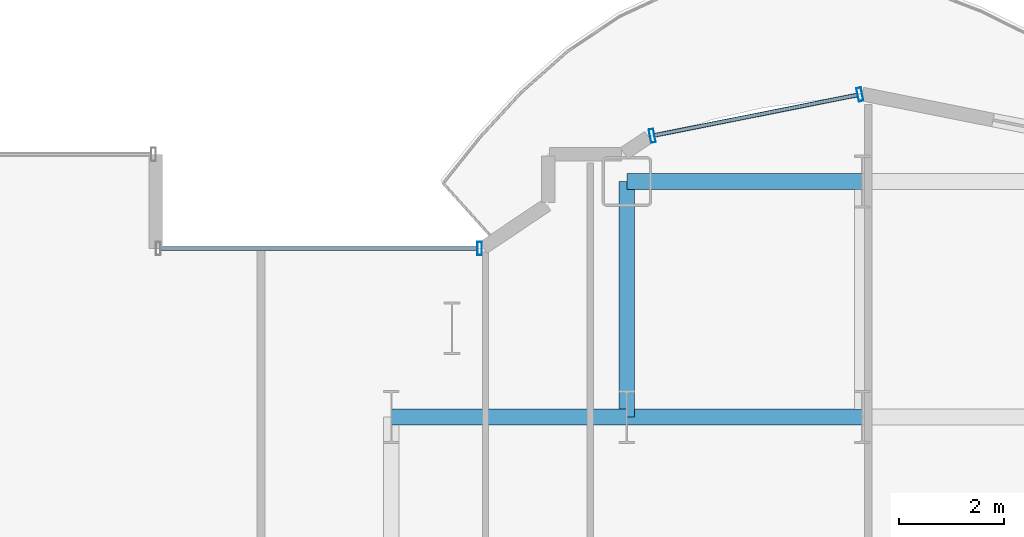
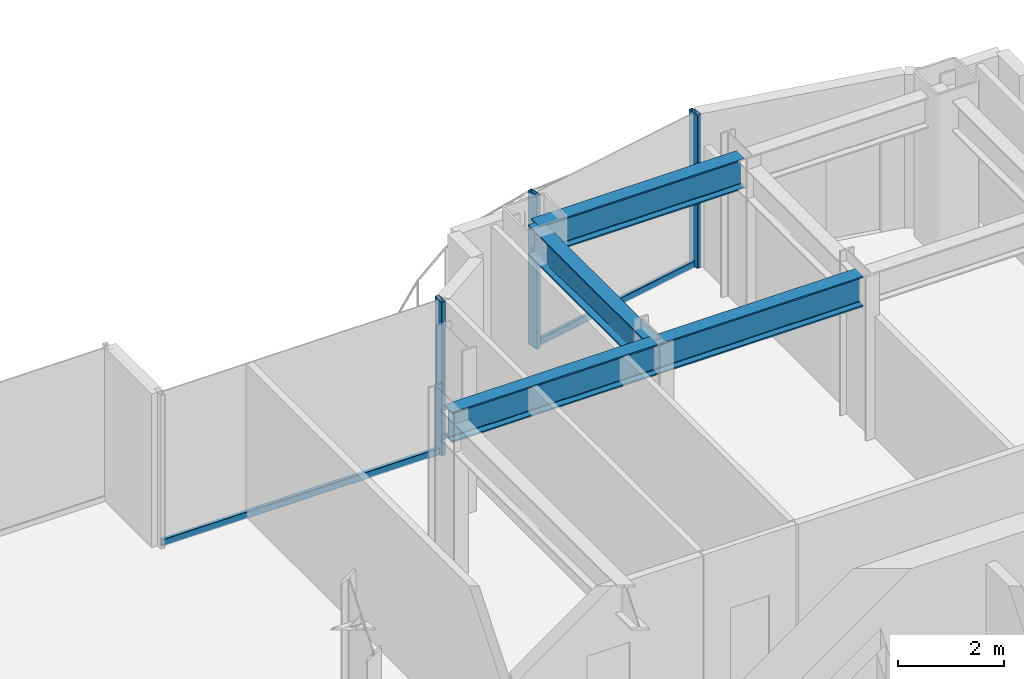
# One storey, part 13 of 28: 5 members, 4 beams, 2 elements without a shape of their own.
"""IFC4 building model written with IfcOpenShell, lengths in metres."""

import ifcopenshell
import ifcopenshell.guid

model = None  # the IFC model being written
_history = None  # IfcOwnerHistory: only IFC2X3 demands one
_inside = {}  # id of a spatial element -> (the spatial element, [elements in it])
_under = {}  # id of a project, library or spatial element -> (it, [spatial elements below it])
_declared = {}  # id of a project -> (the project, [libraries it declares])
_typed = {}  # id of a type object -> (the type object, [elements of that type])
_made_of = {}  # id of a material, layer set ... -> (it, [elements and type objects made of it])


def new_model(schema):
    """Start an empty IFC model of exactly this schema.

    Asked for "IFC4X3", IfcOpenShell would pick the latest addendum, in which some entities
    have other attributes; the version numbers below select the first issue.
    IFC2X3 requires an IfcOwnerHistory on every rooted entity: one is made here for all.
    """
    global model, _history
    if schema == "IFC4X3":
        model = ifcopenshell.file(schema_version=(4, 3, 0, 0))
    else:
        model = ifcopenshell.file(schema=schema)
    _inside.clear()
    _under.clear()
    _declared.clear()
    _typed.clear()
    _made_of.clear()
    _history = None
    if model.schema == "IFC2X3":
        org = make("IfcOrganization", Name="unknown")
        user = make(
            "IfcPersonAndOrganization",
            ThePerson=make("IfcPerson", FamilyName="unknown"),
            TheOrganization=org,
        )
        app = make(
            "IfcApplication",
            ApplicationDeveloper=org,
            Version="unknown",
            ApplicationFullName="unknown",
            ApplicationIdentifier="unknown",
        )
        _history = make(
            "IfcOwnerHistory",
            OwningUser=user,
            OwningApplication=app,
            ChangeAction="ADDED",
            CreationDate=0,
        )
    return model


def make(cls, **values):
    """One entity of the class cls with the attributes given. An attribute that is None is left unset."""
    return model.create_entity(
        cls, **{name: value for name, value in values.items() if value is not None}
    )


def rooted(cls, **values):
    """An entity with a GlobalId (a new one), such as an element, a storey or a relation."""
    return make(cls, GlobalId=ifcopenshell.guid.new(), OwnerHistory=_history, **values)


def si_unit(unit_type, name, prefix=None):
    """IfcSIUnit, for example si_unit("LENGTHUNIT", "METRE", prefix="MILLI")."""
    return make("IfcSIUnit", UnitType=unit_type, Prefix=prefix, Name=name)


def assignment(units):
    """IfcUnitAssignment: the units of a project."""
    return None if units is None else make("IfcUnitAssignment", Units=units)


def point(xyz):
    """IfcCartesianPoint."""
    return None if xyz is None else make("IfcCartesianPoint", Coordinates=xyz)


def direction(xyz):
    """IfcDirection."""
    return None if xyz is None else make("IfcDirection", DirectionRatios=xyz)


def frame(location, z_axis=None, x_axis=None):
    """IfcAxis2Placement3D, a coordinate frame: its origin and axes. An axis left out is left unset."""
    return make(
        "IfcAxis2Placement3D",
        Location=point(location),
        Axis=direction(z_axis),
        RefDirection=direction(x_axis),
    )


def frame_2d(location, x_axis=None):
    """IfcAxis2Placement2D, a coordinate frame in the plane: its origin and x axis."""
    return make(
        "IfcAxis2Placement2D", Location=point(location), RefDirection=direction(x_axis)
    )


def origin():
    """The frame at (0, 0, 0) with its axes left unset."""
    return frame((0.0, 0.0, 0.0))


def origin_2d():
    """The frame at (0, 0) in the plane with its x axis left unset."""
    return frame_2d((0.0, 0.0))


def place(relative_to, where):
    """IfcLocalPlacement: puts the frame where relative to a parent placement (None: the world)."""
    return make(
        "IfcLocalPlacement", PlacementRelTo=relative_to, RelativePlacement=where
    )


def context(
    kind, dimensions, precision=None, world=None, true_north=None, identifier=None
):
    """IfcGeometricRepresentationContext, for example the 3D "Model" context."""
    return make(
        "IfcGeometricRepresentationContext",
        ContextIdentifier=identifier,
        ContextType=kind,
        CoordinateSpaceDimension=dimensions,
        Precision=precision,
        WorldCoordinateSystem=world,
        TrueNorth=true_north,
    )


def subcontext(parent, identifier, kind, view, scale=None):
    """IfcGeometricRepresentationSubContext, for example "Body" below "Model"."""
    return make(
        "IfcGeometricRepresentationSubContext",
        ContextIdentifier=identifier,
        ContextType=kind,
        ParentContext=parent,
        TargetScale=scale,
        TargetView=view,
    )


def project(units=None, contexts=None):
    """IfcProject with its units and contexts."""
    return rooted(
        "IfcProject",
        Name="project",
        RepresentationContexts=contexts,
        UnitsInContext=assignment(units),
    )


def spatial(cls, under=None, at=None, **own):
    """A site, building, storey or space (cls), placed at a placement, below another one or the project."""
    s = rooted(cls, ObjectPlacement=at, **own)
    if under is not None:
        _under.setdefault(under.id(), (under, []))[1].append(s)
    return s


def profile(cls, at=None, kind="AREA", **sizes):
    """A parametric profile (cls). Its sizes go by their IFC names, for example OverallWidth=200.0."""
    return make(cls, ProfileType=kind, Position=at, **sizes)


def hollow_rectangle(**sizes):
    """IfcRectangleHollowProfileDef."""
    return profile("IfcRectangleHollowProfileDef", **sizes)


def i_section(**sizes):
    """IfcIShapeProfileDef."""
    return profile("IfcIShapeProfileDef", **sizes)


def extrude(swept, where, along, depth):
    """IfcExtrudedAreaSolid: the profile swept, set in the frame where, extruded along a direction by depth."""
    return make(
        "IfcExtrudedAreaSolid",
        SweptArea=swept,
        Position=where,
        ExtrudedDirection=direction(along),
        Depth=depth,
    )


def shape(context_of_items, identifier, shape_type, items):
    """IfcShapeRepresentation: the items that make up one representation, for example the "Body"."""
    return make(
        "IfcShapeRepresentation",
        ContextOfItems=context_of_items,
        RepresentationIdentifier=identifier,
        RepresentationType=shape_type,
        Items=items,
    )


def source(mapping_origin, context_of_items, identifier, shape_type, items):
    """IfcRepresentationMap: a shape defined once, which mapped items show again and again."""
    return make(
        "IfcRepresentationMap",
        MappingOrigin=mapping_origin,
        MappedRepresentation=shape(context_of_items, identifier, shape_type, items),
    )


def transform(
    local_origin,
    x_axis=None,
    y_axis=None,
    z_axis=None,
    scale=None,
    scale2=None,
    scale3=None,
    uniform=True,
):
    """IfcCartesianTransformationOperator3D, or its non-uniform kind. x_axis, y_axis, z_axis: its Axis1, 2, 3."""
    if uniform:
        return make(
            "IfcCartesianTransformationOperator3D",
            Axis1=direction(x_axis),
            Axis2=direction(y_axis),
            LocalOrigin=point(local_origin),
            Scale=scale,
            Axis3=direction(z_axis),
        )
    return make(
        "IfcCartesianTransformationOperator3DnonUniform",
        Axis1=direction(x_axis),
        Axis2=direction(y_axis),
        LocalOrigin=point(local_origin),
        Scale=scale,
        Axis3=direction(z_axis),
        Scale2=scale2,
        Scale3=scale3,
    )


def mapped(mapping_source, mapping_target):
    """IfcMappedItem: shows the shape of a source again, moved by a transform."""
    return make(
        "IfcMappedItem", MappingSource=mapping_source, MappingTarget=mapping_target
    )


def material(Name=None, Category=None):
    """IfcMaterial."""
    return make("IfcMaterial", Name=Name, Category=Category)


def layer(
    of_material, thickness, ventilated=None, Name=None, Category=None, Priority=None
):
    """IfcMaterialLayer: one layer of a wall or slab, of a material (None: an air gap)."""
    return make(
        "IfcMaterialLayer",
        Material=of_material,
        LayerThickness=thickness,
        IsVentilated=ventilated,
        Name=Name,
        Category=Category,
        Priority=Priority,
    )


def layer_set(layers, Name=None):
    """IfcMaterialLayerSet."""
    return make("IfcMaterialLayerSet", MaterialLayers=layers, LayerSetName=Name)


def material_profile(
    of_material, cross_section, Name=None, Category=None, Priority=None
):
    """IfcMaterialProfile: a cross section and its material."""
    return make(
        "IfcMaterialProfile",
        Name=Name,
        Material=of_material,
        Profile=cross_section,
        Priority=Priority,
        Category=Category,
    )


def profile_set(profiles, Name=None, composite=None):
    """IfcMaterialProfileSet."""
    return make(
        "IfcMaterialProfileSet",
        Name=Name,
        MaterialProfiles=profiles,
        CompositeProfile=composite,
    )


def made_of(thing, what):
    """Note that an element or type object is made of a material, layer set ...; save() writes the relation."""
    if what is not None:
        _made_of.setdefault(what.id(), (what, []))[1].append(thing)
    return thing


def type_object(cls, material=None, **own):
    """A type object (cls), such as IfcWallType, which elements share."""
    return made_of(rooted(cls, **own), material)


def element(
    cls,
    number,
    at=None,
    inside=None,
    cuts=None,
    type_object=None,
    material=None,
    context=None,
    identifier="Body",
    shape_type=None,
    held_by="IfcProductDefinitionShape",
    body=None,
    shapes=None,
    **own,
):
    """One element of the class cls, such as IfcWall. Its Tag is "e" and its number.

    at: its placement. inside: the storey or other place that contains it. cuts: it is an
    opening in that element (IfcRelVoidsElement). A single representation is given by context,
    identifier, shape_type and body (its items); several are given by shapes. held_by: the class
    of the entity that holds the representations. save() writes the other relations.
    """
    e = rooted(cls, Tag="e%d" % number, ObjectPlacement=at, **own)
    if body is not None:
        shapes = [shape(context, identifier, shape_type, body)]
    if shapes is not None:
        e.Representation = make(held_by, Representations=shapes)
    if inside is not None:
        _inside.setdefault(inside.id(), (inside, []))[1].append(e)
    if cuts is not None:
        rooted(
            "IfcRelVoidsElement", RelatingBuildingElement=cuts, RelatedOpeningElement=e
        )
    if type_object is not None:
        _typed.setdefault(type_object.id(), (type_object, []))[1].append(e)
    return made_of(e, material)


def aggregate(whole, parts):
    """IfcRelAggregates: a whole, such as a stair, and the parts it consists of."""
    return rooted("IfcRelAggregates", RelatingObject=whole, RelatedObjects=parts)


def save(model, path):
    """Write the relations noted so far, then the file.

    IfcRelAggregates (storeys below a building ...), IfcRelContainedInSpatialStructure (elements
    in a storey), IfcRelDefinesByType, IfcRelAssociatesMaterial and IfcRelDeclares: one each for
    every whole, place, type object, material and project.
    """
    for whole, parts in _under.values():
        aggregate(whole, parts)
    for where, things in _inside.values():
        rooted(
            "IfcRelContainedInSpatialStructure",
            RelatedElements=things,
            RelatingStructure=where,
        )
    for kind, things in _typed.values():
        rooted("IfcRelDefinesByType", RelatedObjects=things, RelatingType=kind)
    for what, things in _made_of.values():
        rooted("IfcRelAssociatesMaterial", RelatedObjects=things, RelatingMaterial=what)
    for by, libraries in _declared.values():
        rooted("IfcRelDeclares", RelatingContext=by, RelatedDefinitions=libraries)
    model.write(path)


model = new_model("IFC4")

# Units and contexts
model_context = context("Model", 3, precision=1e-05, world=origin(), true_north=direction((0.0, 1.0)))
body_context = subcontext(model_context, "Body", "Model", "MODEL_VIEW")
ifc_project = project(units=[si_unit("LENGTHUNIT", "METRE"), si_unit("AREAUNIT", "SQUARE_METRE"), si_unit("VOLUMEUNIT", "CUBIC_METRE"), si_unit("PLANEANGLEUNIT", "RADIAN"), si_unit("MASSUNIT", "GRAM", prefix="KILO")], contexts=[model_context])

# Site, building, storey
site_placement = place(None, origin())
site = spatial("IfcSite", under=ifc_project, at=site_placement, CompositionType="ELEMENT")
building_placement = place(site_placement, origin())
building = spatial("IfcBuilding", under=site, at=building_placement, Name="Nefas-Gora Pilgrimage Tower", CompositionType="ELEMENT")
storey_placement = place(building_placement, frame((0.0, 0.0, 102.199951171875)))
storey = spatial("IfcBuildingStorey", under=building, at=storey_placement, Name="L24", CompositionType="ELEMENT", Elevation=102.199951171875)

# Beams
ifc_material_1 = material(Name="Steel S355", Category="steel")
ifc_material_profile_1 = material_profile(ifc_material_1, i_section(OverallWidth=0.300048828125, OverallDepth=0.699951171875, WebThickness=0.01708984375, FlangeThickness=0.031982421875, FilletRadius=0.027099609375, at=origin_2d()), Name="HEB 700")
ifc_profile_set_1 = profile_set([ifc_material_profile_1], Name="Steel S355")
beam_type = type_object("IfcBeamType", Name="BM-GIR-HEB700", PredefinedType="BEAM", material=ifc_profile_set_1)
shared_shape_1 = source(origin(), body_context, "Body", "SweptSolid", [
    extrude(i_section(OverallWidth=0.300048828125, OverallDepth=0.699951171875, WebThickness=0.01708984375, FlangeThickness=0.031982421875, FilletRadius=0.027099609375, at=origin_2d()), origin(), (0.0, 0.0, 1.0), 4.5),
])
for number, where, z_axis, x_axis, name in (
    (1, (-11.25, 18.0, 3.199951171875), (1.0, 0.0, 0.0), (0.0, 1.0, 0.0), "L24 G-02 beam"),
    (2, (-6.75, 18.0, 3.199951171875), (0.0, 1.0, 0.0), (-1.0, 0.0, 0.0), "L24 G-02 beam"),
    (3, (-6.75, 18.0, 3.199951171875), (1.0, 0.0, 0.0), (0.0, 1.0, 0.0), "L24 G-02 beam"),
    (4, (-6.75, 22.5, 3.199951171875), (1.0, 0.0, 0.0), (0.0, 1.0, 0.0), "L24 G-02 beam"),
):
    element("IfcBeam", number, at=place(storey_placement, frame(where, z_axis=z_axis, x_axis=x_axis)), inside=storey, type_object=beam_type, Name=name, PredefinedType="BEAM", context=body_context, shape_type="MappedRepresentation", body=[
        mapped(shared_shape_1, transform((0.0, 0.0, 0.0), x_axis=(1.0, 0.0, 0.0), y_axis=(0.0, 1.0, 0.0), z_axis=(0.0, 0.0, 1.0), scale=1.0)),
    ])

# Curtain wall, members
ifc_material_2 = material(Name="Dark ceramic-fritted solar-control aluminium-glass curtain wall", Category="aluminium")
ifc_layer = layer(ifc_material_2, 0.219970703125)
ifc_layer_set = layer_set([ifc_layer], Name="Dark ceramic-fritted solar-control aluminium-glass curtain wall")
curtain_wall_type = type_object("IfcCurtainWallType", Name="CW-SYS-5", PredefinedType="NOTDEFINED", material=ifc_layer_set)
curtain_wall_1_placement = place(storey_placement, origin())
curtain_wall_1 = element("IfcCurtainWall", 5, at=curtain_wall_1_placement, inside=storey, type_object=curtain_wall_type, Name="L24 Unitised Curtain Wall CW5", PredefinedType="NOTDEFINED")
ifc_material_3 = material(Name="Anodised architectural aluminium", Category="aluminium")
ifc_material_profile_2 = material_profile(ifc_material_3, hollow_rectangle(XDim=0.090087890625, YDim=0.260009765625, WallThickness=0.006103515625, InnerFilletRadius=0.006103515625, OuterFilletRadius=0.011962890625, at=origin_2d()), Name="ALU MULLION 90x260")
ifc_profile_set_2 = profile_set([ifc_material_profile_2], Name="Anodised architectural aluminium")
member_type_1 = type_object("IfcMemberType", Name="CWM-MUL-5", PredefinedType="MULLION", material=ifc_profile_set_2)
shared_shape_2 = source(origin(), body_context, "Body", "SweptSolid", [
    extrude(hollow_rectangle(XDim=0.090087890625, YDim=0.260009765625, WallThickness=0.006103515625, InnerFilletRadius=0.006103515625, OuterFilletRadius=0.011962890625, at=origin_2d()), origin(), (0.0, 0.0, 1.0), 3.550048828125),
])
member_1_placement = place(storey_placement, frame((-2.294189453125, 24.16357421875, 0.0), z_axis=(0.0, 0.0, 1.0), x_axis=(-0.980782896852, -0.195102304554, 0.0)))
member_1 = element("IfcMember", 6, at=member_1_placement, type_object=member_type_1, Name="CW5 Mullion 1", PredefinedType="MULLION", context=body_context, shape_type="MappedRepresentation", body=[
    mapped(shared_shape_2, transform((0.0, 0.0, 0.0), x_axis=(1.0, 0.0, 0.0), y_axis=(0.0, 1.0, 0.0), z_axis=(0.0, 0.0, 1.0), scale=1.0)),
])
member_2_placement = place(storey_placement, frame((-6.26318359375, 23.3740234375, 0.0), z_axis=(0.0, 0.0, 1.0), x_axis=(-0.980782896852, -0.195102304554, 0.0)))
member_2 = element("IfcMember", 7, at=member_2_placement, type_object=member_type_1, Name="CW5 Mullion 2", PredefinedType="MULLION", context=body_context, shape_type="MappedRepresentation", body=[
    mapped(shared_shape_2, transform((0.0, 0.0, 0.0), x_axis=(1.0, 0.0, 0.0), y_axis=(0.0, 1.0, 0.0), z_axis=(0.0, 0.0, 1.0), scale=1.0)),
])

curtain_wall_2_placement = place(storey_placement, origin())
curtain_wall_2 = element("IfcCurtainWall", 8, at=curtain_wall_2_placement, inside=storey, type_object=curtain_wall_type, Name="L24 Unitised Curtain Wall CW5", PredefinedType="NOTDEFINED")
member_3_placement = place(storey_placement, frame((-9.56298828125, 21.219970703125, 0.0), z_axis=(0.0, 0.0, 1.0), x_axis=(-1.0, 0.0, 0.0)))
member_3 = element("IfcMember", 9, at=member_3_placement, type_object=member_type_1, Name="CW5 Mullion 1", PredefinedType="MULLION", context=body_context, shape_type="MappedRepresentation", body=[
    mapped(shared_shape_2, transform((0.0, 0.0, 0.0), x_axis=(1.0, 0.0, 0.0), y_axis=(0.0, 1.0, 0.0), z_axis=(0.0, 0.0, 1.0), scale=1.0)),
])
ifc_material_profile_3 = material_profile(ifc_material_3, hollow_rectangle(XDim=0.080078125, YDim=0.159912109375, WallThickness=0.00439453125, InnerFilletRadius=0.00439453125, OuterFilletRadius=0.009033203125, at=origin_2d()), Name="ALU TRANSOM 80x160")
ifc_profile_set_3 = profile_set([ifc_material_profile_3], Name="Anodised architectural aluminium")
member_type_2 = type_object("IfcMemberType", Name="CWM-TRN-5", PredefinedType="USERDEFINED", material=ifc_profile_set_3)
shared_shape_3 = source(origin(), body_context, "Body", "SweptSolid", [
    extrude(hollow_rectangle(XDim=0.080078125, YDim=0.159912109375, WallThickness=0.00439453125, InnerFilletRadius=0.00439453125, OuterFilletRadius=0.009033203125, at=origin_2d()), origin(), (0.0, 0.0, 1.0), 6.052001953125),
])
member_4_placement = place(storey_placement, frame((-9.60791015625, 21.219970703125, 0.050048828125), z_axis=(-1.0, 0.0, 0.0), x_axis=(0.0, -1.0, 0.0)))
member_4 = element("IfcMember", 10, at=member_4_placement, type_object=member_type_2, Name="CW5 Spandrel Transom", ObjectType="TRANSOM", PredefinedType="USERDEFINED", context=body_context, shape_type="MappedRepresentation", body=[
    mapped(shared_shape_3, transform((0.0, 0.0, 0.0), x_axis=(1.0, 0.0, 0.0), y_axis=(0.0, 1.0, 0.0), z_axis=(0.0, 0.0, 1.0), scale=1.0)),
])
aggregate(curtain_wall_2, [member_3, member_4])

# Member
shared_shape_4 = source(origin(), body_context, "Body", "SweptSolid", [
    extrude(hollow_rectangle(XDim=0.080078125, YDim=0.159912109375, WallThickness=0.00439453125, InnerFilletRadius=0.00439453125, OuterFilletRadius=0.009033203125, at=origin_2d()), origin(), (0.0, 0.0, 1.0), 3.95654296875),
])
member_5_placement = place(storey_placement, frame((-2.33837890625, 24.15478515625, 0.050048828125), z_axis=(-0.980781880918, -0.195107411605, 0.0), x_axis=(0.195107411605, -0.980781880918, 0.0)))
member_5 = element("IfcMember", 11, at=member_5_placement, type_object=member_type_2, Name="CW5 Spandrel Transom", ObjectType="TRANSOM", PredefinedType="USERDEFINED", context=body_context, shape_type="MappedRepresentation", body=[
    mapped(shared_shape_4, transform((0.0, 0.0, 0.0), x_axis=(1.0, 0.0, 0.0), y_axis=(0.0, 1.0, 0.0), z_axis=(0.0, 0.0, 1.0), scale=1.0)),
])

aggregate(curtain_wall_1, [member_1, member_2, member_5])

save(model, "model.ifc")
